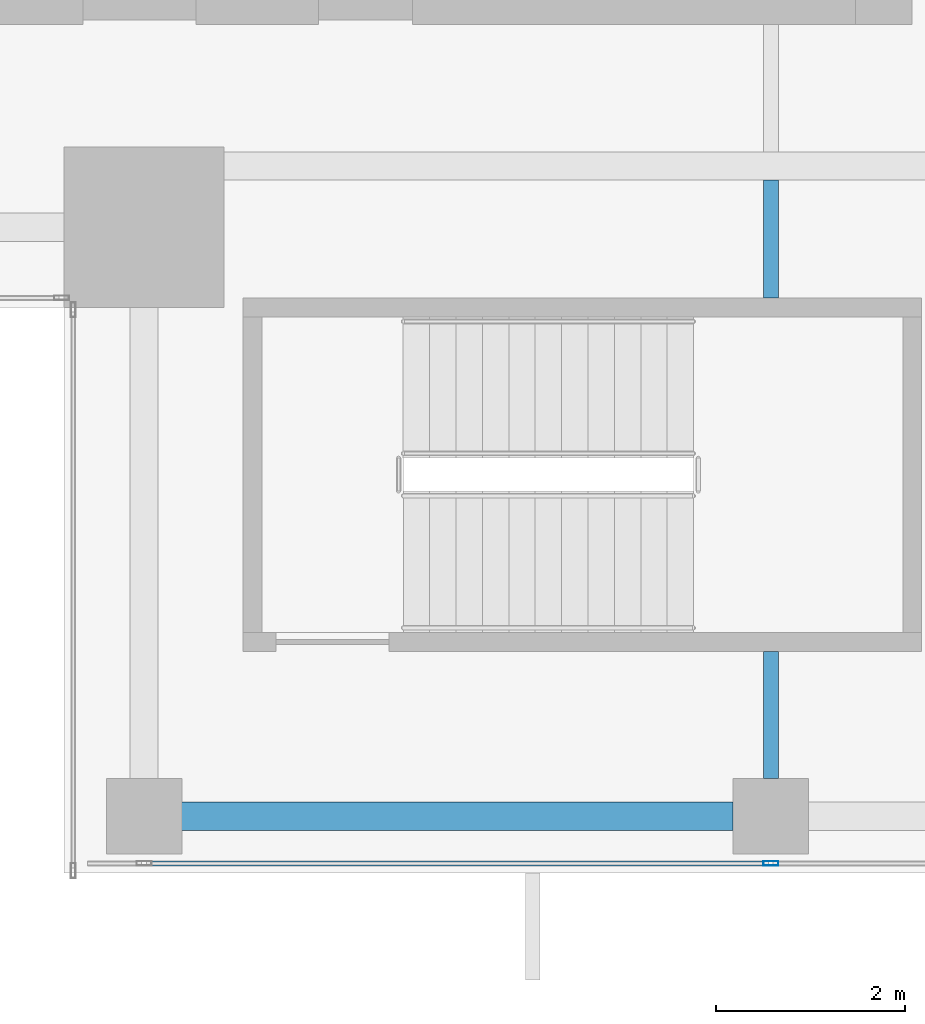
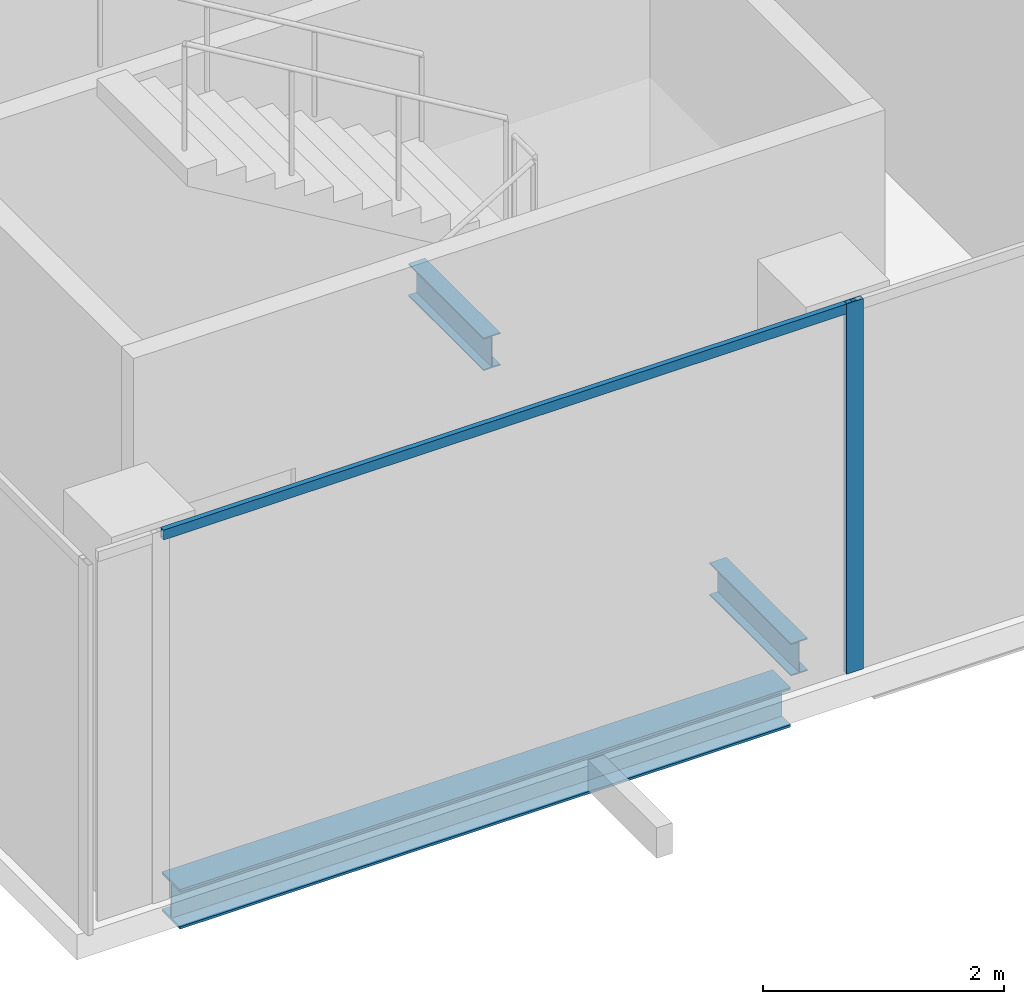
# One storey, part 3 of 29: 3 beams, 2 members, 1 element without a shape of its own.
"""IFC4 building model written with IfcOpenShell, lengths in metres."""

from ifc_helpers import new_model, si_unit, direction, frame, origin, origin_2d, place, context, subcontext, project, spatial, hollow_rectangle, i_section, extrude, source, transform, mapped, material, material_profile, profile_set, type_object, element, aggregate, save


model = new_model("IFC4")

# Units and contexts
model_context = context("Model", 3, precision=1e-05, world=origin(), true_north=direction((0.0, 1.0)))
body_context = subcontext(model_context, "Body", "Model", "MODEL_VIEW")
ifc_project = project(units=[si_unit("LENGTHUNIT", "METRE"), si_unit("AREAUNIT", "SQUARE_METRE"), si_unit("VOLUMEUNIT", "CUBIC_METRE"), si_unit("PLANEANGLEUNIT", "RADIAN"), si_unit("MASSUNIT", "GRAM", prefix="KILO")], contexts=[model_context])

# Site, building, storey
site_placement = place(None, origin())
site = spatial("IfcSite", under=ifc_project, at=site_placement, CompositionType="ELEMENT")
building_placement = place(site_placement, origin())
building = spatial("IfcBuilding", under=site, at=building_placement, Name="Khomas Fold Tower", CompositionType="ELEMENT")
storey_placement = place(building_placement, frame((0.0, 0.0, 286.199951171875)))
storey = spatial("IfcBuildingStorey", under=building, at=storey_placement, Name="L64", CompositionType="ELEMENT", Elevation=286.199951171875)

# Beams
ifc_material_1 = material(Name="Steel S355", Category="steel")
ifc_material_profile_1 = material_profile(ifc_material_1, i_section(OverallWidth=0.159912109375, OverallDepth=0.330078125, WebThickness=0.007568359375, FlangeThickness=0.011474609375, at=origin_2d()), Name="IPE 330")
ifc_profile_set_1 = profile_set([ifc_material_profile_1], Name="Steel S355")
beam_type_1 = type_object("IfcBeamType", Name="IPE 330 beam JB1", PredefinedType="BEAM", material=ifc_profile_set_1)
shared_shape_1 = source(origin(), body_context, "Body", "SweptSolid", [
    extrude(i_section(OverallWidth=0.159912109375, OverallDepth=0.330078125, WebThickness=0.007568359375, FlangeThickness=0.011474609375, at=origin_2d()), origin(), (0.0, 0.0, 1.0), 1.25),
])
beam_1_placement = place(storey_placement, frame((19.5, 12.10009765625, -0.4150390625), z_axis=(0.0, 1.0, 0.0), x_axis=(-1.0, 0.0, 0.0)))
element("IfcBeam", 1, at=beam_1_placement, inside=storey, type_object=beam_type_1, Name="JB1", PredefinedType="BEAM", context=body_context, shape_type="MappedRepresentation", body=[
    mapped(shared_shape_1, transform((0.0, 0.0, 0.0))),
])
shared_shape_2 = source(origin(), body_context, "Body", "SweptSolid", [
    extrude(i_section(OverallWidth=0.159912109375, OverallDepth=0.330078125, WebThickness=0.007568359375, FlangeThickness=0.011474609375, at=origin_2d()), origin(), (0.0, 0.0, 1.0), 1.35009765625),
])
beam_2_placement = place(storey_placement, frame((19.5, 7.0, -0.4150390625), z_axis=(0.0, 1.0, 0.0), x_axis=(-1.0, 0.0, 0.0)))
element("IfcBeam", 2, at=beam_2_placement, inside=storey, type_object=beam_type_1, Name="JB1", PredefinedType="BEAM", context=body_context, shape_type="MappedRepresentation", body=[
    mapped(shared_shape_2, transform((0.0, 0.0, 0.0))),
])
ifc_material_2 = material(Name="Steel S355", Category="steel")
ifc_material_profile_2 = material_profile(ifc_material_2, i_section(OverallWidth=0.300048828125, OverallDepth=0.39990234375, WebThickness=0.013427734375, FlangeThickness=0.02392578125, at=origin_2d()), Name="HE 400 B")
ifc_profile_set_2 = profile_set([ifc_material_profile_2], Name="Steel S355")
beam_type_2 = type_object("IfcBeamType", Name="HE 400 B spandrel SB5", PredefinedType="SPANDREL", material=ifc_profile_set_2)
shared_shape_3 = source(origin(), body_context, "Body", "SweptSolid", [
    extrude(i_section(OverallWidth=0.300048828125, OverallDepth=0.39990234375, WebThickness=0.013427734375, FlangeThickness=0.02392578125, at=origin_2d()), origin(), (0.0, 0.0, 1.0), 5.85009765625),
])
beam_3_placement = place(storey_placement, frame((13.25, 6.60009765625, -0.449951171875), z_axis=(1.0, 0.0, 0.0), x_axis=(0.0, 1.0, 0.0)))
element("IfcBeam", 3, at=beam_3_placement, inside=storey, type_object=beam_type_2, Name="SB5", PredefinedType="SPANDREL", context=body_context, shape_type="MappedRepresentation", body=[
    mapped(shared_shape_3, transform((0.0, 0.0, 0.0))),
])

# Curtain wall, members
ifc_material_3 = material(Name="Aluminium framed double glazing", Category="aluminium")
curtain_wall_type = type_object("IfcCurtainWallType", Name="SK-Unitised clear-glass wall, upper floors CW3", PredefinedType="NOTDEFINED", material=ifc_material_3)
curtain_wall_placement = place(storey_placement, origin())
curtain_wall = element("IfcCurtainWall", 4, at=curtain_wall_placement, inside=storey, type_object=curtain_wall_type, Name="CW3 run L64 00-0", PredefinedType="NOTDEFINED")
ifc_material_4 = material(Name="Aluminium", Category="aluminium")
ifc_material_profile_3 = material_profile(ifc_material_4, hollow_rectangle(XDim=0.050048828125, YDim=0.159912109375, WallThickness=0.00390625, at=origin_2d()), Name="SK-Unitised clear-glass wall, upper floors mullion CW3-M")
ifc_profile_set_3 = profile_set([ifc_material_profile_3], Name="Aluminium")
member_type_1 = type_object("IfcMemberType", Name="SK-Unitised clear-glass wall, upper floors mullion CW3-M", PredefinedType="MULLION", material=ifc_profile_set_3)
shared_shape_4 = source(origin(), body_context, "Body", "SweptSolid", [
    extrude(hollow_rectangle(XDim=0.050048828125, YDim=0.159912109375, WallThickness=0.00390625, at=origin_2d()), origin(), (0.0, 0.0, 1.0), 3.75),
])
member_1_placement = place(storey_placement, frame((19.5, 6.10009765625, 0.0), z_axis=(0.0, 0.0, 1.0), x_axis=(0.0, 1.0, 0.0)))
member_1 = element("IfcMember", 5, at=member_1_placement, type_object=member_type_1, Name="CW3 mullion 3", PredefinedType="MULLION", context=body_context, shape_type="MappedRepresentation", body=[
    mapped(shared_shape_4, transform((0.0, 0.0, 0.0))),
])
ifc_material_5 = material(Name="Aluminium", Category="aluminium")
ifc_material_profile_4 = material_profile(ifc_material_5, hollow_rectangle(XDim=0.050048828125, YDim=0.10009765625, WallThickness=0.00390625, at=origin_2d()), Name="SK-Unitised clear-glass wall, upper floors transom CW3-T")
ifc_profile_set_4 = profile_set([ifc_material_profile_4], Name="Aluminium")
member_type_2 = type_object("IfcMemberType", Name="SK-Unitised clear-glass wall, upper floors transom CW3-T", PredefinedType="USERDEFINED", material=ifc_profile_set_4)
shared_shape_5 = source(origin(), body_context, "Body", "SweptSolid", [
    extrude(hollow_rectangle(XDim=0.050048828125, YDim=0.10009765625, WallThickness=0.00390625, at=origin_2d()), origin(), (0.0, 0.0, 1.0), 6.60009765625),
])
member_2_placement = place(storey_placement, frame((12.875, 6.10009765625, 3.699951171875), z_axis=(1.0, 0.0, 0.0), x_axis=(0.0, 1.0, 0.0)))
member_2 = element("IfcMember", 6, at=member_2_placement, type_object=member_type_2, Name="CW3 transom 2", ObjectType="TRANSOM", PredefinedType="USERDEFINED", context=body_context, shape_type="MappedRepresentation", body=[
    mapped(shared_shape_5, transform((0.0, 0.0, 0.0))),
])
aggregate(curtain_wall, [member_1, member_2])

save(model, "model.ifc")
